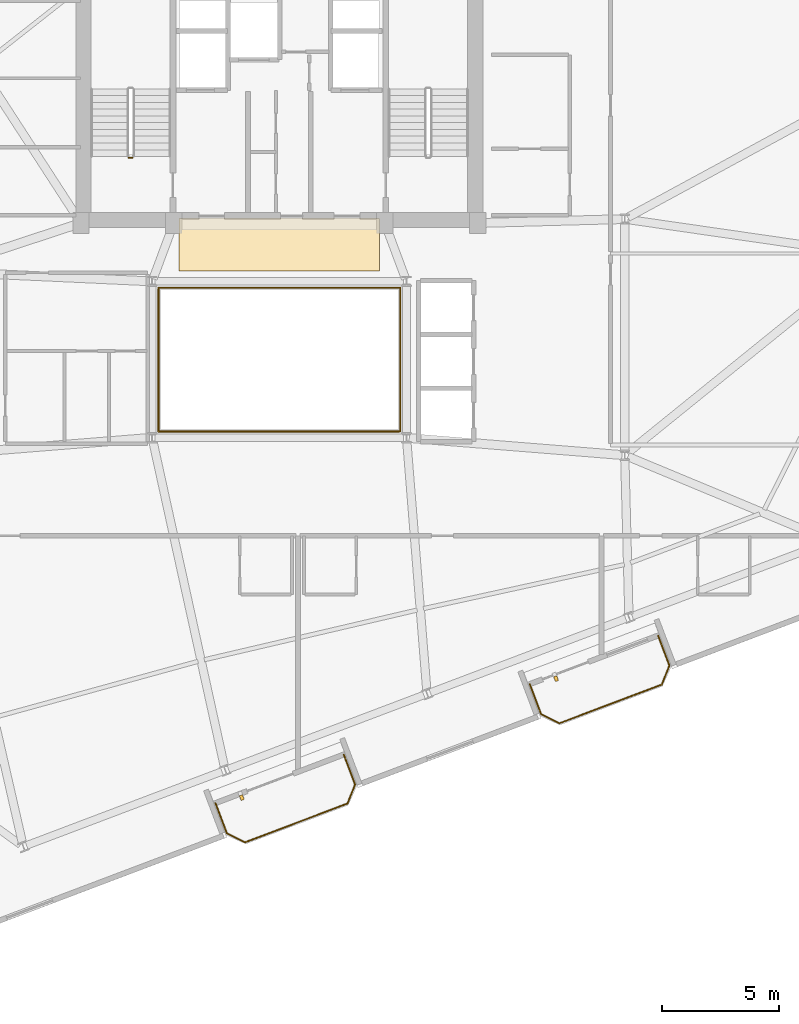
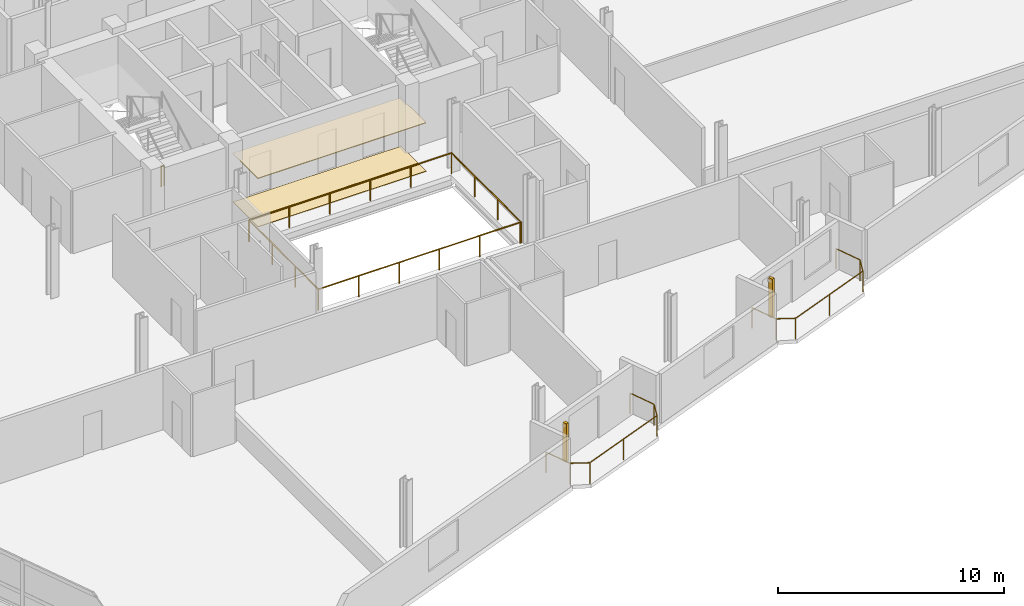
# One storey, part 18 of 19: 5 railings, 2 coverings, 2 shading devices.
"""IFC4 building model written with IfcOpenShell, lengths in metres."""

from ifc_helpers import new_model, si_unit, direction, frame, origin, origin_2d, place, context, subcontext, project, spatial, rectangle, circle, extrude, source, transform, mapped, material, layer, layer_set, type_object, element, save


model = new_model("IFC4")

# Units and contexts
model_context = context("Model", 3, precision=1e-05, world=origin(), true_north=direction((0.0, 1.0)))
body_context = subcontext(model_context, "Body", "Model", "MODEL_VIEW")
ifc_project = project(units=[si_unit("LENGTHUNIT", "METRE"), si_unit("AREAUNIT", "SQUARE_METRE"), si_unit("VOLUMEUNIT", "CUBIC_METRE"), si_unit("PLANEANGLEUNIT", "RADIAN"), si_unit("MASSUNIT", "GRAM", prefix="KILO")], contexts=[model_context])

# Site, building, storey
site_placement = place(None, origin())
site = spatial("IfcSite", under=ifc_project, at=site_placement, CompositionType="ELEMENT")
building_placement = place(site_placement, origin())
building = spatial("IfcBuilding", under=site, at=building_placement, Name="Varnelok Gate Tower", CompositionType="ELEMENT")
storey_placement = place(building_placement, frame((0.0, 0.0, 249.699951171875)))
storey = spatial("IfcBuildingStorey", under=building, at=storey_placement, Name="L64", CompositionType="ELEMENT", Elevation=249.699951171875)

# Railings
ifc_material_1 = material(Name="Tempered Laminated Balustrade Glass", Category="glass")
railing_type_1 = type_object("IfcRailingType", Name="RL-ATR-GUARD1150", PredefinedType="GUARDRAIL", material=ifc_material_1)
railing_1_placement = place(storey_placement, frame((34.02001953125, 25.929931640625, 0.0)))
element("IfcRailing", 1, at=railing_1_placement, inside=storey, type_object=railing_type_1, Name="L64 Internal Atrium South-West Guardrail", PredefinedType="GUARDRAIL", context=body_context, shape_type="SweptSolid", body=[
    extrude(circle(Radius=0.02392578125, at=origin_2d()), frame((0.0, 0.0, 1.1259765625), z_axis=(0.0, -1.0, 0.0), x_axis=(1.0, 0.0, 0.0)), (0.0, 0.0, 1.0), 6.10986328125),
    extrude(circle(Radius=0.02392578125, at=origin_2d()), frame((0.0, -6.10986328125, 1.1259765625), z_axis=(1.0, 0.0, 0.0), x_axis=(0.0, 1.0, 0.0)), (0.0, 0.0, 1.0), 10.31005859375),
    extrude(circle(Radius=0.02099609375, at=origin_2d()), origin(), (0.0, 0.0, 1.0), 1.101806640625),
    extrude(circle(Radius=0.02099609375, at=origin_2d()), frame((0.0, -2.03662109375, 0.0)), (0.0, 0.0, 1.0), 1.101806640625),
    extrude(circle(Radius=0.02099609375, at=origin_2d()), frame((0.0, -4.0732421875, 0.0)), (0.0, 0.0, 1.0), 1.101806640625),
    extrude(circle(Radius=0.02099609375, at=origin_2d()), frame((0.0, -6.10986328125, 0.0)), (0.0, 0.0, 1.0), 1.101806640625),
    extrude(circle(Radius=0.02099609375, at=origin_2d()), frame((2.06201171875, -6.10986328125, 0.0)), (0.0, 0.0, 1.0), 1.101806640625),
    extrude(circle(Radius=0.02099609375, at=origin_2d()), frame((4.1240234375, -6.10986328125, 0.0)), (0.0, 0.0, 1.0), 1.101806640625),
    extrude(circle(Radius=0.02099609375, at=origin_2d()), frame((6.18603515625, -6.10986328125, 0.0)), (0.0, 0.0, 1.0), 1.101806640625),
    extrude(circle(Radius=0.02099609375, at=origin_2d()), frame((8.248046875, -6.10986328125, 0.0)), (0.0, 0.0, 1.0), 1.101806640625),
    extrude(circle(Radius=0.02099609375, at=origin_2d()), frame((10.31005859375, -6.10986328125, 0.0)), (0.0, 0.0, 1.0), 1.101806640625),
])
railing_2_placement = place(storey_placement, frame((44.3798828125, 19.820068359375, 0.0)))
element("IfcRailing", 2, at=railing_2_placement, inside=storey, type_object=railing_type_1, Name="L64 Internal Atrium North-East Guardrail", PredefinedType="GUARDRAIL", context=body_context, shape_type="SweptSolid", body=[
    extrude(circle(Radius=0.02392578125, at=origin_2d()), frame((0.0, 0.0, 1.1259765625), z_axis=(0.0, 1.0, 0.0), x_axis=(-1.0, 0.0, 0.0)), (0.0, 0.0, 1.0), 6.159912109375),
    extrude(circle(Radius=0.02392578125, at=origin_2d()), frame((0.0, 6.159912109375, 1.1259765625), z_axis=(-1.0, 0.0, 0.0), x_axis=(0.0, -1.0, 0.0)), (0.0, 0.0, 1.0), 10.35986328125),
    extrude(circle(Radius=0.02099609375, at=origin_2d()), origin(), (0.0, 0.0, 1.0), 1.101806640625),
    extrude(circle(Radius=0.02099609375, at=origin_2d()), frame((0.0, 2.05322265625, 0.0)), (0.0, 0.0, 1.0), 1.101806640625),
    extrude(circle(Radius=0.02099609375, at=origin_2d()), frame((0.0, 4.106689453125, 0.0)), (0.0, 0.0, 1.0), 1.101806640625),
    extrude(circle(Radius=0.02099609375, at=origin_2d()), frame((0.0, 6.159912109375, 0.0)), (0.0, 0.0, 1.0), 1.101806640625),
    extrude(circle(Radius=0.02099609375, at=origin_2d()), frame((-2.072021484375, 6.159912109375, 0.0)), (0.0, 0.0, 1.0), 1.101806640625),
    extrude(circle(Radius=0.02099609375, at=origin_2d()), frame((-4.14404296875, 6.159912109375, 0.0)), (0.0, 0.0, 1.0), 1.101806640625),
    extrude(circle(Radius=0.02099609375, at=origin_2d()), frame((-6.2158203125, 6.159912109375, 0.0)), (0.0, 0.0, 1.0), 1.101806640625),
    extrude(circle(Radius=0.02099609375, at=origin_2d()), frame((-8.287841796875, 6.159912109375, 0.0)), (0.0, 0.0, 1.0), 1.101806640625),
    extrude(circle(Radius=0.02099609375, at=origin_2d()), frame((-10.35986328125, 6.159912109375, 0.0)), (0.0, 0.0, 1.0), 1.101806640625),
])
ifc_material_2 = material(Name="Low-E Laminated Double Glazing IGU", Category="glass")
railing_type_2 = type_object("IfcRailingType", Name="RL-BALC-1150", PredefinedType="BALUSTRADE", material=ifc_material_2)
railing_3_placement = place(storey_placement, frame((36.461669921875, 3.893798828125, 0.0)))
element("IfcRailing", 3, at=railing_3_placement, inside=storey, type_object=railing_type_2, Name="L64 South Terrace Balustrade 1", PredefinedType="BALUSTRADE", context=body_context, shape_type="SweptSolid", body=[
    extrude(circle(Radius=0.02392578125, at=origin_2d()), frame((0.0, 0.0, 1.1259765625), z_axis=(0.354090105886, -0.935211311369, 0.0), x_axis=(0.935211311369, 0.354090105886, 0.0)), (0.0, 0.0, 1.0), 1.3701171875),
    extrude(circle(Radius=0.02392578125, at=origin_2d()), frame((0.485107421875, -1.28125, 1.1259765625), z_axis=(0.89078254773, -0.454429810487, 0.0), x_axis=(0.454429810487, 0.89078254773, 0.0)), (0.0, 0.0, 1.0), 0.8779296875),
    extrude(circle(Radius=0.02392578125, at=origin_2d()), frame((1.26708984375, -1.68017578125, 1.1259765625), z_axis=(0.935223045203, 0.354059113314, 0.0), x_axis=(-0.354059113314, 0.935223045203, 0.0)), (0.0, 0.0, 1.0), 4.699951171875),
    extrude(circle(Radius=0.02392578125, at=origin_2d()), frame((5.66259765625, -0.01611328125, 1.1259765625), z_axis=(0.366254584666, 0.930514685113, 0.0), x_axis=(-0.930514685113, 0.366254584666, 0.0)), (0.0, 0.0, 1.0), 0.8779296875),
    extrude(circle(Radius=0.02392578125, at=origin_2d()), frame((5.984130859375, 0.80078125, 1.1259765625), z_axis=(-0.3541491269, 0.935188962679, 0.0), x_axis=(-0.935188962679, -0.3541491269, 0.0)), (0.0, 0.0, 1.0), 1.369873046875),
    extrude(circle(Radius=0.02099609375, at=origin_2d()), origin(), (0.0, 0.0, 1.0), 1.101806640625),
    extrude(circle(Radius=0.02099609375, at=origin_2d()), frame((0.485107421875, -1.28125, 0.0)), (0.0, 0.0, 1.0), 1.101806640625),
    extrude(circle(Radius=0.02099609375, at=origin_2d()), frame((1.26708984375, -1.68017578125, 0.0)), (0.0, 0.0, 1.0), 1.101806640625),
    extrude(circle(Radius=0.02099609375, at=origin_2d()), frame((3.46484375, -0.84814453125, 0.0)), (0.0, 0.0, 1.0), 1.101806640625),
    extrude(circle(Radius=0.02099609375, at=origin_2d()), frame((5.66259765625, -0.01611328125, 0.0)), (0.0, 0.0, 1.0), 1.101806640625),
    extrude(circle(Radius=0.02099609375, at=origin_2d()), frame((5.984130859375, 0.80078125, 0.0)), (0.0, 0.0, 1.0), 1.101806640625),
    extrude(circle(Radius=0.02099609375, at=origin_2d()), frame((5.4990234375, 2.081787109375, 0.0)), (0.0, 0.0, 1.0), 1.101806640625),
])
railing_4_placement = place(storey_placement, frame((49.928955078125, 8.9921875, 0.0)))
element("IfcRailing", 4, at=railing_4_placement, inside=storey, type_object=railing_type_2, Name="L64 South Terrace Balustrade 2", PredefinedType="BALUSTRADE", context=body_context, shape_type="SweptSolid", body=[
    extrude(circle(Radius=0.02392578125, at=origin_2d()), frame((0.0, 0.0, 1.1259765625), z_axis=(0.3541491269, -0.935188962679, 0.0), x_axis=(0.935188962679, 0.3541491269, 0.0)), (0.0, 0.0, 1.0), 1.369873046875),
    extrude(circle(Radius=0.02392578125, at=origin_2d()), frame((0.485107421875, -1.281005859375, 1.1259765625), z_axis=(0.890612455555, -0.454763074589, 0.0), x_axis=(0.454763074589, 0.890612455555, 0.0)), (0.0, 0.0, 1.0), 0.877685546875),
    extrude(circle(Radius=0.02392578125, at=origin_2d()), frame((1.266845703125, -1.68017578125, 1.1259765625), z_axis=(0.935212356898, 0.354087344458, 0.0), x_axis=(-0.354087344458, 0.935212356898, 0.0)), (0.0, 0.0, 1.0), 4.7001953125),
    extrude(circle(Radius=0.02392578125, at=origin_2d()), frame((5.66259765625, -0.015869140625, 1.1259765625), z_axis=(0.366349384437, 0.930477365938, 0.0), x_axis=(-0.930477365938, 0.366349384437, 0.0)), (0.0, 0.0, 1.0), 0.877685546875),
    extrude(circle(Radius=0.02392578125, at=origin_2d()), frame((5.984130859375, 0.80078125, 1.1259765625), z_axis=(-0.354090105886, 0.935211311369, 0.0), x_axis=(-0.935211311369, -0.354090105886, 0.0)), (0.0, 0.0, 1.0), 1.3701171875),
    extrude(circle(Radius=0.02099609375, at=origin_2d()), origin(), (0.0, 0.0, 1.0), 1.101806640625),
    extrude(circle(Radius=0.02099609375, at=origin_2d()), frame((0.485107421875, -1.281005859375, 0.0)), (0.0, 0.0, 1.0), 1.101806640625),
    extrude(circle(Radius=0.02099609375, at=origin_2d()), frame((1.266845703125, -1.68017578125, 0.0)), (0.0, 0.0, 1.0), 1.101806640625),
    extrude(circle(Radius=0.02099609375, at=origin_2d()), frame((3.46484375, -0.84814453125, 0.0)), (0.0, 0.0, 1.0), 1.101806640625),
    extrude(circle(Radius=0.02099609375, at=origin_2d()), frame((5.66259765625, -0.015869140625, 0.0)), (0.0, 0.0, 1.0), 1.101806640625),
    extrude(circle(Radius=0.02099609375, at=origin_2d()), frame((5.984130859375, 0.80078125, 0.0)), (0.0, 0.0, 1.0), 1.101806640625),
    extrude(circle(Radius=0.02099609375, at=origin_2d()), frame((5.4990234375, 2.08203125, 0.0)), (0.0, 0.0, 1.0), 1.101806640625),
])
ifc_material_3 = material(Name="Galvanized Steel Grade S350GD", Category="steel")
railing_type_3 = type_object("IfcRailingType", Name="RL-STAIR-GUARD1120", PredefinedType="GUARDRAIL", material=ifc_material_3)
railing_5_placement = place(storey_placement, frame((32.89990234375, 31.550048828125, 0.0)))
element("IfcRailing", 5, at=railing_5_placement, inside=storey, type_object=railing_type_3, Name="L64 ST-1 stair guard 4", PredefinedType="GUARDRAIL", context=body_context, shape_type="SweptSolid", body=[
    extrude(circle(Radius=0.02392578125, at=origin_2d()), frame((0.0, 0.0, 1.09619140625), z_axis=(-1.0, 0.0, 0.0), x_axis=(0.0, -1.0, 0.0)), (0.0, 0.0, 1.0), 0.14990234375),
    extrude(circle(Radius=0.02099609375, at=origin_2d()), origin(), (0.0, 0.0, 1.0), 1.072021484375),
    extrude(circle(Radius=0.02099609375, at=origin_2d()), frame((-0.14990234375, 0.0, 0.0)), (0.0, 0.0, 1.0), 1.072021484375),
])

# Shading devices
ifc_material_4 = material(Name="Glazed Architectural Terracotta Ceramic", Category="masonry")
shading_device_type = type_object("IfcShadingDeviceType", Name="SHD-TERRA-BAGUETTE", PredefinedType="USERDEFINED", material=ifc_material_4)
shared_shape_1 = source(origin(), body_context, "Body", "SweptSolid", [
    extrude(rectangle(XDim=0.139892578125, YDim=0.219970703125, at=origin_2d()), origin(), (0.0, 0.0, 1.0), 2.10009765625),
])
for number, where, z_axis, x_axis, name in (
    (6, (37.591552734375, 4.129150390625, 0.10009765625), (0.0, 0.0, 1.0), (0.935221751401, 0.354062530786, 0.0), "L64 Terracotta Ceramic Baguette Sunscreen 1.1"),
    (7, (51.058837890625, 9.2275390625, 0.10009765625), (0.0, 0.0, 1.0), (0.935221751401, 0.354062530786, 0.0), "L64 Terracotta Ceramic Baguette Sunscreen 2.1"),
):
    element("IfcShadingDevice", number, at=place(storey_placement, frame(where, z_axis=z_axis, x_axis=x_axis)), inside=storey, type_object=shading_device_type, Name=name, ObjectType="BAGUETTE", PredefinedType="USERDEFINED", context=body_context, shape_type="MappedRepresentation", body=[
        mapped(shared_shape_1, transform((0.0, 0.0, 0.0), scale=1.0)),
    ])

# Coverings
ifc_material_5 = material(Name="Honed Travertine Stone Flooring", Category="masonry")
ifc_layer_1 = layer(ifc_material_5, 0.02490234375)
ifc_layer_set_1 = layer_set([ifc_layer_1], Name="Honed Travertine Stone Flooring")
covering_type_1 = type_object("IfcCoveringType", Name="COV-FLOR-STONE", PredefinedType="FLOORING", material=ifc_layer_set_1)
shared_shape_2 = source(origin(), body_context, "Body", "SweptSolid", [
    extrude(rectangle(XDim=8.60009765625, YDim=2.219970703125, at=origin_2d()), origin(), (0.0, 0.0, 1.0), 0.02490234375),
])
covering_1_placement = place(storey_placement, frame((39.199951171875, 27.800048828125, 0.0), z_axis=(0.0, 0.0, 1.0), x_axis=(1.0, 0.0, 0.0)))
element("IfcCovering", 8, at=covering_1_placement, inside=storey, type_object=covering_type_1, Name="L64 Core Gallery Stone Flooring", PredefinedType="FLOORING", context=body_context, shape_type="MappedRepresentation", body=[
    mapped(shared_shape_2, transform((0.0, 0.0, 0.0), scale=1.0)),
])
ifc_material_6 = material(Name="Mineral Fiber Acoustic Ceiling Tile")
ifc_layer_2 = layer(ifc_material_6, 0.0400390625)
ifc_layer_set_2 = layer_set([ifc_layer_2], Name="Mineral Fiber Acoustic Ceiling Tile")
covering_type_2 = type_object("IfcCoveringType", Name="COV-CEIL-ACOUST", PredefinedType="CEILING", material=ifc_layer_set_2)
shared_shape_3 = source(origin(), body_context, "Body", "SweptSolid", [
    extrude(rectangle(XDim=8.60009765625, YDim=2.239990234375, at=origin_2d()), origin(), (0.0, 0.0, 1.0), 0.0400390625),
])
covering_2_placement = place(storey_placement, frame((39.199951171875, 27.820068359375, 2.60009765625), z_axis=(0.0, 0.0, 1.0), x_axis=(1.0, 0.0, 0.0)))
element("IfcCovering", 9, at=covering_2_placement, inside=storey, type_object=covering_type_2, Name="L64 Core Gallery Acoustic Ceiling", PredefinedType="CEILING", context=body_context, shape_type="MappedRepresentation", body=[
    mapped(shared_shape_3, transform((0.0, 0.0, 0.0), scale=1.0)),
])

save(model, "model.ifc")
